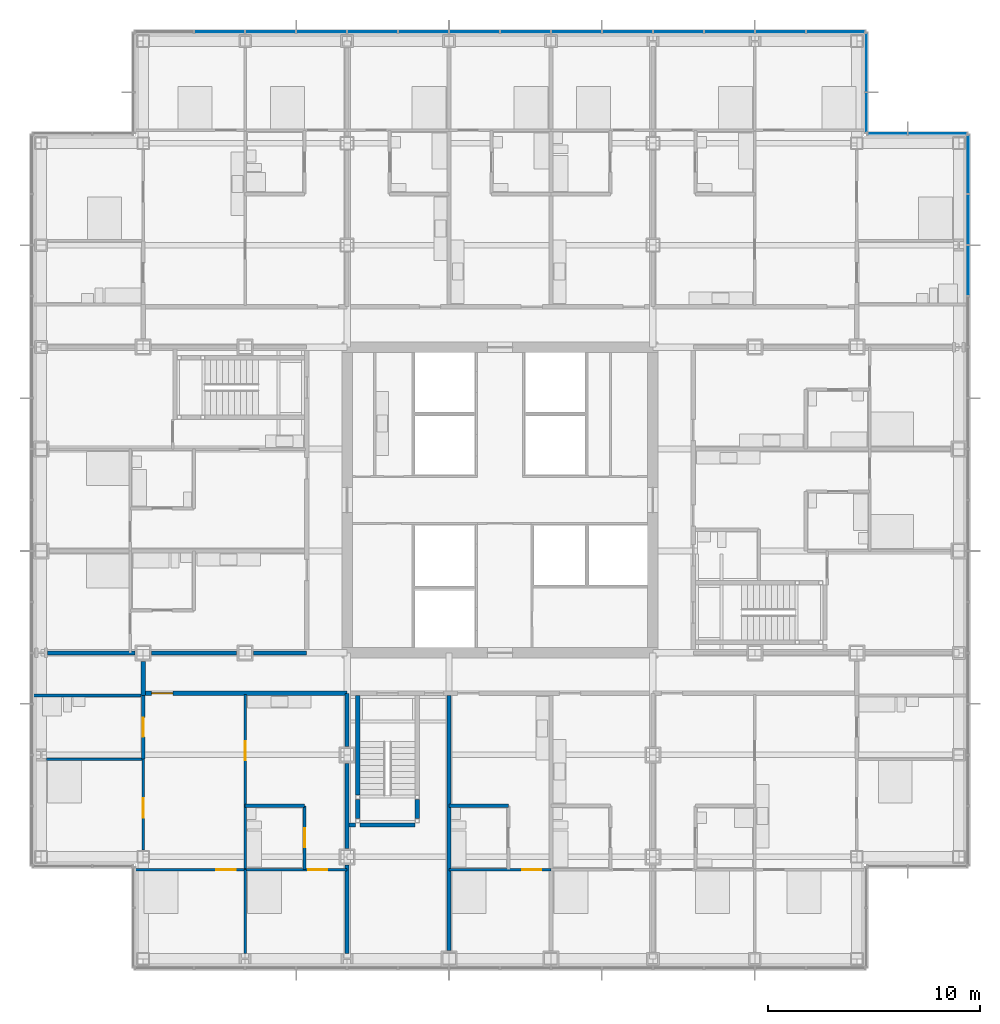
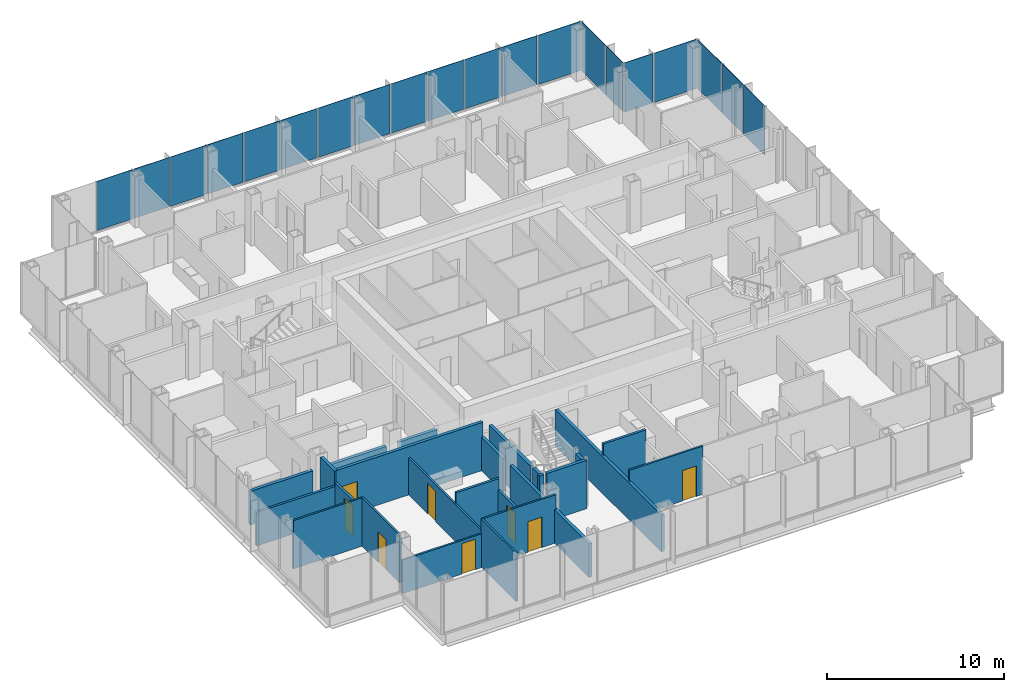
# One storey, part 13 of 21: 26 walls, 20 plates, 8 doors, 8 openings, 4 elements without a shape of their own.
"""IFC4 building model written with IfcOpenShell, lengths in metres."""

from ifc_helpers import new_model, si_unit, direction, frame, frame_2d, origin, origin_2d, place, context, subcontext, project, spatial, rectangle, extrude, material, layer, layer_set, type_object, element, fill, aggregate, save


model = new_model("IFC4")

# Units and contexts
model_context = context("Model", 3, precision=1e-05, world=origin(), true_north=direction((0.0, 1.0)))
body_context = subcontext(model_context, "Body", "Model", "MODEL_VIEW")
ifc_project = project(units=[si_unit("LENGTHUNIT", "METRE"), si_unit("AREAUNIT", "SQUARE_METRE"), si_unit("VOLUMEUNIT", "CUBIC_METRE"), si_unit("PLANEANGLEUNIT", "RADIAN"), si_unit("MASSUNIT", "GRAM", prefix="KILO")], contexts=[model_context])

# Site, building, storey
site_placement = place(None, origin())
site = spatial("IfcSite", under=ifc_project, at=site_placement, CompositionType="ELEMENT")
building_placement = place(site_placement, origin())
building = spatial("IfcBuilding", under=site, at=building_placement, Name="Kvirike Care Tower", CompositionType="ELEMENT")
storey_placement = place(building_placement, frame((0.0, 0.0, 51.5)))
storey = spatial("IfcBuildingStorey", under=building, at=storey_placement, Name="L13", CompositionType="ELEMENT", Elevation=51.5)

# Curtain wall, plates
ifc_material_1 = material(Name="Anodised aluminium stick system", Category="aluminium")
curtain_wall_type = type_object("IfcCurtainWallType", Name="CW-A STICK CURTAIN WALL", PredefinedType="NOTDEFINED", material=ifc_material_1)
curtain_wall_1_placement = place(storey_placement, origin())
curtain_wall_1 = element("IfcCurtainWall", 1, at=curtain_wall_1_placement, inside=storey, type_object=curtain_wall_type, Name="Curtain wall L13 face 7", PredefinedType="NOTDEFINED")
ifc_material_2 = material(Name="Tinted double glazed unit", Category="glass")
ifc_layer_1 = layer(ifc_material_2, 0.031982421875)
ifc_layer_set_1 = layer_set([ifc_layer_1], Name="TINTED VISION PANEL 32")
plate_type = type_object("IfcPlateType", Name="TINTED VISION PANEL 32", PredefinedType="CURTAIN_PANEL", material=ifc_layer_set_1)
plate_1_placement = place(storey_placement, frame((43.64990234375, 46.800048828125, 0.10009765625), z_axis=(0.0, 0.0, 1.0), x_axis=(0.0, 1.0, 0.0)))
plate_1 = element("IfcPlate", 2, at=plate_1_placement, type_object=plate_type, Name="CW-A panel L13 face 7.12", PredefinedType="CURTAIN_PANEL", context=body_context, shape_type="SweptSolid", body=[
    extrude(rectangle(XDim=2.3349609375, YDim=0.031982421875, at=origin_2d()), origin(), (0.0, 0.0, 1.0), 3.39990234375),
])
plate_2_placement = place(storey_placement, frame((43.64990234375, 49.199951171875, 0.10009765625), z_axis=(0.0, 0.0, 1.0), x_axis=(0.0, 1.0, 0.0)))
plate_2 = element("IfcPlate", 3, at=plate_2_placement, type_object=plate_type, Name="CW-A panel L13 face 7.13", PredefinedType="CURTAIN_PANEL", context=body_context, shape_type="SweptSolid", body=[
    extrude(rectangle(XDim=2.3349609375, YDim=0.031982421875, at=origin_2d()), origin(), (0.0, 0.0, 1.0), 3.39990234375),
])
plate_3_placement = place(storey_placement, frame((43.64990234375, 51.808837890625, 0.10009765625), z_axis=(0.0, 0.0, 1.0), x_axis=(0.0, 1.0, 0.0)))
plate_3 = element("IfcPlate", 4, at=plate_3_placement, type_object=plate_type, Name="CW-A panel L13 face 7.14", PredefinedType="CURTAIN_PANEL", context=body_context, shape_type="SweptSolid", body=[
    extrude(rectangle(XDim=2.75244140625, YDim=0.031982421875, at=origin_2d()), origin(), (0.0, 0.0, 1.0), 3.39990234375),
])
aggregate(curtain_wall_1, [plate_1, plate_2, plate_3])

curtain_wall_2_placement = place(storey_placement, origin())
curtain_wall_2 = element("IfcCurtainWall", 5, at=curtain_wall_2_placement, inside=storey, type_object=curtain_wall_type, Name="Curtain wall L13 face 8", PredefinedType="NOTDEFINED")
plate_4_placement = place(storey_placement, frame((42.208740234375, 53.25, 0.10009765625), z_axis=(0.0, 0.0, 1.0), x_axis=(-1.0, 0.0, 0.0)))
plate_4 = element("IfcPlate", 6, at=plate_4_placement, type_object=plate_type, Name="CW-A panel L13 face 8.1", PredefinedType="CURTAIN_PANEL", context=body_context, shape_type="SweptSolid", body=[
    extrude(rectangle(XDim=2.75244140625, YDim=0.031982421875, at=origin_2d()), origin(), (0.0, 0.0, 1.0), 3.39990234375),
])
plate_5_placement = place(storey_placement, frame((39.84130859375, 53.25, 0.10009765625), z_axis=(0.0, 0.0, 1.0), x_axis=(-1.0, 0.0, 0.0)))
plate_5 = element("IfcPlate", 7, at=plate_5_placement, type_object=plate_type, Name="CW-A panel L13 face 8.2", PredefinedType="CURTAIN_PANEL", context=body_context, shape_type="SweptSolid", body=[
    extrude(rectangle(XDim=1.8525390625, YDim=0.031982421875, at=origin_2d()), origin(), (0.0, 0.0, 1.0), 3.39990234375),
])
aggregate(curtain_wall_2, [plate_4, plate_5])

curtain_wall_3_placement = place(storey_placement, origin())
curtain_wall_3 = element("IfcCurtainWall", 8, at=curtain_wall_3_placement, inside=storey, type_object=curtain_wall_type, Name="Curtain wall L13 face 9", PredefinedType="NOTDEFINED")
plate_6_placement = place(storey_placement, frame((38.85009765625, 54.2412109375, 0.10009765625), z_axis=(0.0, 0.0, 1.0), x_axis=(0.0, 1.0, 0.0)))
plate_6 = element("IfcPlate", 9, at=plate_6_placement, type_object=plate_type, Name="CW-A panel L13 face 9.1", PredefinedType="CURTAIN_PANEL", context=body_context, shape_type="SweptSolid", body=[
    extrude(rectangle(XDim=1.8525390625, YDim=0.031982421875, at=origin_2d()), origin(), (0.0, 0.0, 1.0), 3.39990234375),
])
plate_7_placement = place(storey_placement, frame((38.85009765625, 56.608642578125, 0.10009765625), z_axis=(0.0, 0.0, 1.0), x_axis=(0.0, 1.0, 0.0)))
plate_7 = element("IfcPlate", 10, at=plate_7_placement, type_object=plate_type, Name="CW-A panel L13 face 9.2", PredefinedType="CURTAIN_PANEL", context=body_context, shape_type="SweptSolid", body=[
    extrude(rectangle(XDim=2.75244140625, YDim=0.031982421875, at=origin_2d()), origin(), (0.0, 0.0, 1.0), 3.39990234375),
])
aggregate(curtain_wall_3, [plate_6, plate_7])

curtain_wall_4_placement = place(storey_placement, origin())
curtain_wall_4 = element("IfcCurtainWall", 11, at=curtain_wall_4_placement, inside=storey, type_object=curtain_wall_type, Name="Curtain wall L13 face 10", PredefinedType="NOTDEFINED")
plate_8_placement = place(storey_placement, frame((37.40869140625, 58.050048828125, 0.10009765625), z_axis=(0.0, 0.0, 1.0), x_axis=(-1.0, 0.0, 0.0)))
plate_8 = element("IfcPlate", 12, at=plate_8_placement, type_object=plate_type, Name="CW-A panel L13 face 10.1", PredefinedType="CURTAIN_PANEL", context=body_context, shape_type="SweptSolid", body=[
    extrude(rectangle(XDim=2.75244140625, YDim=0.031982421875, at=origin_2d()), origin(), (0.0, 0.0, 1.0), 3.39990234375),
])
plate_9_placement = place(storey_placement, frame((34.800048828125, 58.050048828125, 0.10009765625), z_axis=(0.0, 0.0, 1.0), x_axis=(-1.0, 0.0, 0.0)))
plate_9 = element("IfcPlate", 13, at=plate_9_placement, type_object=plate_type, Name="CW-A panel L13 face 10.2", PredefinedType="CURTAIN_PANEL", context=body_context, shape_type="SweptSolid", body=[
    extrude(rectangle(XDim=2.3349609375, YDim=0.031982421875, at=origin_2d()), origin(), (0.0, 0.0, 1.0), 3.39990234375),
])
plate_10_placement = place(storey_placement, frame((32.39990234375, 58.050048828125, 0.10009765625), z_axis=(0.0, 0.0, 1.0), x_axis=(-1.0, 0.0, 0.0)))
plate_10 = element("IfcPlate", 14, at=plate_10_placement, type_object=plate_type, Name="CW-A panel L13 face 10.3", PredefinedType="CURTAIN_PANEL", context=body_context, shape_type="SweptSolid", body=[
    extrude(rectangle(XDim=2.3349609375, YDim=0.031982421875, at=origin_2d()), origin(), (0.0, 0.0, 1.0), 3.39990234375),
])
plate_11_placement = place(storey_placement, frame((30.0, 58.050048828125, 0.10009765625), z_axis=(0.0, 0.0, 1.0), x_axis=(-1.0, 0.0, 0.0)))
plate_11 = element("IfcPlate", 15, at=plate_11_placement, type_object=plate_type, Name="CW-A panel L13 face 10.4", PredefinedType="CURTAIN_PANEL", context=body_context, shape_type="SweptSolid", body=[
    extrude(rectangle(XDim=2.3349609375, YDim=0.031982421875, at=origin_2d()), origin(), (0.0, 0.0, 1.0), 3.39990234375),
])
plate_12_placement = place(storey_placement, frame((27.60009765625, 58.050048828125, 0.10009765625), z_axis=(0.0, 0.0, 1.0), x_axis=(-1.0, 0.0, 0.0)))
plate_12 = element("IfcPlate", 16, at=plate_12_placement, type_object=plate_type, Name="CW-A panel L13 face 10.5", PredefinedType="CURTAIN_PANEL", context=body_context, shape_type="SweptSolid", body=[
    extrude(rectangle(XDim=2.3349609375, YDim=0.031982421875, at=origin_2d()), origin(), (0.0, 0.0, 1.0), 3.39990234375),
])
plate_13_placement = place(storey_placement, frame((25.199951171875, 58.050048828125, 0.10009765625), z_axis=(0.0, 0.0, 1.0), x_axis=(-1.0, 0.0, 0.0)))
plate_13 = element("IfcPlate", 17, at=plate_13_placement, type_object=plate_type, Name="CW-A panel L13 face 10.6", PredefinedType="CURTAIN_PANEL", context=body_context, shape_type="SweptSolid", body=[
    extrude(rectangle(XDim=2.3349609375, YDim=0.031982421875, at=origin_2d()), origin(), (0.0, 0.0, 1.0), 3.39990234375),
])
plate_14_placement = place(storey_placement, frame((22.800048828125, 58.050048828125, 0.10009765625), z_axis=(0.0, 0.0, 1.0), x_axis=(-1.0, 0.0, 0.0)))
plate_14 = element("IfcPlate", 18, at=plate_14_placement, type_object=plate_type, Name="CW-A panel L13 face 10.7", PredefinedType="CURTAIN_PANEL", context=body_context, shape_type="SweptSolid", body=[
    extrude(rectangle(XDim=2.3349609375, YDim=0.031982421875, at=origin_2d()), origin(), (0.0, 0.0, 1.0), 3.39990234375),
])
plate_15_placement = place(storey_placement, frame((20.39990234375, 58.050048828125, 0.10009765625), z_axis=(0.0, 0.0, 1.0), x_axis=(-1.0, 0.0, 0.0)))
plate_15 = element("IfcPlate", 19, at=plate_15_placement, type_object=plate_type, Name="CW-A panel L13 face 10.8", PredefinedType="CURTAIN_PANEL", context=body_context, shape_type="SweptSolid", body=[
    extrude(rectangle(XDim=2.3349609375, YDim=0.031982421875, at=origin_2d()), origin(), (0.0, 0.0, 1.0), 3.39990234375),
])
plate_16_placement = place(storey_placement, frame((18.0, 58.050048828125, 0.10009765625), z_axis=(0.0, 0.0, 1.0), x_axis=(-1.0, 0.0, 0.0)))
plate_16 = element("IfcPlate", 20, at=plate_16_placement, type_object=plate_type, Name="CW-A panel L13 face 10.9", PredefinedType="CURTAIN_PANEL", context=body_context, shape_type="SweptSolid", body=[
    extrude(rectangle(XDim=2.3349609375, YDim=0.031982421875, at=origin_2d()), origin(), (0.0, 0.0, 1.0), 3.39990234375),
])
plate_17_placement = place(storey_placement, frame((15.60009765625, 58.050048828125, 0.10009765625), z_axis=(0.0, 0.0, 1.0), x_axis=(-1.0, 0.0, 0.0)))
plate_17 = element("IfcPlate", 21, at=plate_17_placement, type_object=plate_type, Name="CW-A panel L13 face 10.10", PredefinedType="CURTAIN_PANEL", context=body_context, shape_type="SweptSolid", body=[
    extrude(rectangle(XDim=2.3349609375, YDim=0.031982421875, at=origin_2d()), origin(), (0.0, 0.0, 1.0), 3.39990234375),
])
plate_18_placement = place(storey_placement, frame((13.199951171875, 58.050048828125, 0.10009765625), z_axis=(0.0, 0.0, 1.0), x_axis=(-1.0, 0.0, 0.0)))
plate_18 = element("IfcPlate", 22, at=plate_18_placement, type_object=plate_type, Name="CW-A panel L13 face 10.11", PredefinedType="CURTAIN_PANEL", context=body_context, shape_type="SweptSolid", body=[
    extrude(rectangle(XDim=2.3349609375, YDim=0.031982421875, at=origin_2d()), origin(), (0.0, 0.0, 1.0), 3.39990234375),
])
plate_19_placement = place(storey_placement, frame((10.800048828125, 58.050048828125, 0.10009765625), z_axis=(0.0, 0.0, 1.0), x_axis=(-1.0, 0.0, 0.0)))
plate_19 = element("IfcPlate", 23, at=plate_19_placement, type_object=plate_type, Name="CW-A panel L13 face 10.12", PredefinedType="CURTAIN_PANEL", context=body_context, shape_type="SweptSolid", body=[
    extrude(rectangle(XDim=2.3349609375, YDim=0.031982421875, at=origin_2d()), origin(), (0.0, 0.0, 1.0), 3.39990234375),
])
plate_20_placement = place(storey_placement, frame((8.39990234375, 58.050048828125, 0.10009765625), z_axis=(0.0, 0.0, 1.0), x_axis=(-1.0, 0.0, 0.0)))
plate_20 = element("IfcPlate", 24, at=plate_20_placement, type_object=plate_type, Name="CW-A panel L13 face 10.13", PredefinedType="CURTAIN_PANEL", context=body_context, shape_type="SweptSolid", body=[
    extrude(rectangle(XDim=2.3349609375, YDim=0.031982421875, at=origin_2d()), origin(), (0.0, 0.0, 1.0), 3.39990234375),
])
aggregate(curtain_wall_4, [plate_8, plate_9, plate_10, plate_11, plate_12, plate_13, plate_14, plate_15, plate_16, plate_17, plate_18, plate_19, plate_20])

# Wall, opening, door
ifc_material_3 = material(Name="Moisture-resistant board partition", Category="gypsum")
ifc_layer_2 = layer(ifc_material_3, 0.14990234375)
ifc_layer_set_2 = layer_set([ifc_layer_2], Name="BATHROOM WALL 150")
wall_type_1 = type_object("IfcWallType", Name="BATHROOM WALL 150", PredefinedType="PARTITIONING", material=ifc_layer_set_2)
wall_1_placement = place(storey_placement, frame((4.800048828125, 23.800048828125, 0.0), z_axis=(0.0, 0.0, 1.0), x_axis=(0.0, 1.0, 0.0)))
wall_1 = element("IfcWall", 25, at=wall_1_placement, inside=storey, type_object=wall_type_1, Name="Bathroom Wall 150 L13", PredefinedType="PARTITIONING", context=body_context, shape_type="SweptSolid", body=[
    extrude(rectangle(XDim=3.0, YDim=0.14990234375, at=frame_2d((1.5, 0.0))), origin(), (0.0, 0.0, 1.0), 2.550048828125),
])
opening_1_placement = place(wall_1_placement, frame((1.050048828125, 0.0, 0.0)))
opening_1 = element("IfcOpeningElement", 26, at=opening_1_placement, cuts=wall_1, Name="Opening 13-001", PredefinedType="OPENING", context=body_context, shape_type="SweptSolid", body=[
    extrude(rectangle(XDim=0.89990234375, YDim=2.10009765625, at=frame_2d((0.449951171875, 1.050048828125))), frame((0.0, 0.08544921875, 0.0), z_axis=(0.0, -1.0, 0.0), x_axis=(1.0, 0.0, 0.0)), (0.0, 0.0, 1.0), 0.1708984375),
])
ifc_material_4 = material(Name="Timber door set", Category="wood")
door_type_1 = type_object("IfcDoorType", Name="BATHROOM DOOR 900", OperationType="SINGLE_SWING_RIGHT", PredefinedType="DOOR", material=ifc_material_4)
door_1_placement = place(opening_1_placement, origin())
door_1 = element("IfcDoor", 27, at=door_1_placement, inside=storey, type_object=door_type_1, Name="Shower room door", OperationType="SINGLE_SWING_LEFT", OverallHeight=2.10009765625, OverallWidth=0.89990234375, PredefinedType="DOOR", context=body_context, shape_type="SweptSolid", body=[
    extrude(rectangle(XDim=0.89990234375, YDim=2.10009765625, at=frame_2d((0.449951171875, 1.050048828125))), frame((0.0, 0.02197265625, 0.0), z_axis=(0.0, -1.0, 0.0), x_axis=(1.0, 0.0, 0.0)), (0.0, 0.0, 1.0), 0.0439453125),
])
fill(opening_1, door_1)

wall_2_placement = place(storey_placement, frame((12.39990234375, 18.60009765625, 0.0), z_axis=(0.0, 0.0, 1.0), x_axis=(0.0, 1.0, 0.0)))
wall_2 = element("IfcWall", 28, at=wall_2_placement, inside=storey, type_object=wall_type_1, Name="Bathroom Wall 150 L13", PredefinedType="PARTITIONING", context=body_context, shape_type="SweptSolid", body=[
    extrude(rectangle(XDim=3.0, YDim=0.14990234375, at=frame_2d((1.5, 0.0))), origin(), (0.0, 0.0, 1.0), 2.550048828125),
])
opening_2_placement = place(wall_2_placement, frame((1.050048828125, 0.0, 0.0)))
opening_2 = element("IfcOpeningElement", 29, at=opening_2_placement, cuts=wall_2, Name="Opening 13-002", PredefinedType="OPENING", context=body_context, shape_type="SweptSolid", body=[
    extrude(rectangle(XDim=0.89990234375, YDim=2.10009765625, at=frame_2d((0.449951171875, 1.050048828125))), frame((0.0, 0.08544921875, 0.0), z_axis=(0.0, -1.0, 0.0), x_axis=(1.0, 0.0, 0.0)), (0.0, 0.0, 1.0), 0.1708984375),
])
door_2_placement = place(opening_2_placement, origin())
door_2 = element("IfcDoor", 30, at=door_2_placement, inside=storey, type_object=door_type_1, Name="Bathroom door", OperationType="SINGLE_SWING_RIGHT", OverallHeight=2.10009765625, OverallWidth=0.89990234375, PredefinedType="DOOR", context=body_context, shape_type="SweptSolid", body=[
    extrude(rectangle(XDim=0.89990234375, YDim=2.10009765625, at=frame_2d((0.449951171875, 1.050048828125))), frame((0.0, 0.02197265625, 0.0), z_axis=(0.0, -1.0, 0.0), x_axis=(1.0, 0.0, 0.0)), (0.0, 0.0, 1.0), 0.0439453125),
])
fill(opening_2, door_2)

# Walls
wall_3_placement = place(storey_placement, frame((9.60009765625, 21.60009765625, 0.0), z_axis=(0.0, 0.0, 1.0), x_axis=(1.0, 0.0, 0.0)))
element("IfcWall", 31, at=wall_3_placement, inside=storey, type_object=wall_type_1, Name="Bathroom Wall 150 L13", PredefinedType="PARTITIONING", context=body_context, shape_type="SweptSolid", body=[
    extrude(rectangle(XDim=2.7998046875, YDim=0.14990234375, at=frame_2d((1.39990234375, 0.0))), origin(), (0.0, 0.0, 1.0), 3.330078125),
])
wall_4_placement = place(storey_placement, frame((19.199951171875, 21.60009765625, 0.0), z_axis=(0.0, 0.0, 1.0), x_axis=(1.0, 0.0, 0.0)))
element("IfcWall", 32, at=wall_4_placement, inside=storey, type_object=wall_type_1, Name="Bathroom Wall 150 L13", PredefinedType="PARTITIONING", context=body_context, shape_type="SweptSolid", body=[
    extrude(rectangle(XDim=2.800048828125, YDim=0.14990234375, at=frame_2d((1.39990234375, 0.0))), origin(), (0.0, 0.0, 1.0), 3.330078125),
])
wall_5_placement = place(storey_placement, frame((-0.429931640625, 26.800048828125, 0.0), z_axis=(0.0, 0.0, 1.0), x_axis=(1.0, 0.0, 0.0)))
element("IfcWall", 33, at=wall_5_placement, inside=storey, type_object=wall_type_1, Name="Bathroom Wall 150 L13", PredefinedType="PARTITIONING", context=body_context, shape_type="SweptSolid", body=[
    extrude(rectangle(XDim=5.1298828125, YDim=0.14990234375, at=frame_2d((2.56494140625, 0.0))), origin(), (0.0, 0.0, 1.0), 2.320068359375),
])

# Wall, opening, door
ifc_material_5 = material(Name="Plasterboard corridor wall", Category="gypsum")
ifc_layer_3 = layer(ifc_material_5, 0.199951171875)
ifc_layer_set_3 = layer_set([ifc_layer_3], Name="CORRIDOR WALL 200")
wall_type_2 = type_object("IfcWallType", Name="CORRIDOR WALL 200", PredefinedType="PARTITIONING", material=ifc_layer_set_3)
wall_6_placement = place(storey_placement, frame((4.800048828125, 26.89990234375, 0.0), z_axis=(0.0, 0.0, 1.0), x_axis=(1.0, 0.0, 0.0)))
wall_6 = element("IfcWall", 34, at=wall_6_placement, inside=storey, type_object=wall_type_2, Name="Corridor Wall 200 L13", PredefinedType="PARTITIONING", context=body_context, shape_type="SweptSolid", body=[
    extrude(rectangle(XDim=9.599853515625, YDim=0.199951171875, at=frame_2d((4.7998046875, 0.0))), origin(), (0.0, 0.0, 1.0), 3.330078125),
])
opening_3_placement = place(wall_6_placement, frame((0.39990234375, 0.0, 0.0)))
opening_3 = element("IfcOpeningElement", 35, at=opening_3_placement, cuts=wall_6, Name="Opening 13-007", PredefinedType="OPENING", context=body_context, shape_type="SweptSolid", body=[
    extrude(rectangle(XDim=1.0, YDim=2.10009765625, at=frame_2d((0.5, 1.050048828125))), frame((0.0, 0.110595703125, 0.0), z_axis=(0.0, -1.0, 0.0), x_axis=(1.0, 0.0, 0.0)), (0.0, 0.0, 1.0), 0.220947265625),
])
ifc_material_6 = material(Name="Timber door set", Category="wood")
door_type_2 = type_object("IfcDoorType", Name="FLAT ENTRANCE DOOR 1000", OperationType="SINGLE_SWING_LEFT", PredefinedType="DOOR", material=ifc_material_6)
door_3_placement = place(opening_3_placement, frame((1.0, 0.0, 0.0), z_axis=(0.0, 0.0, 1.0), x_axis=(-1.0, 0.0, 0.0)))
door_3 = element("IfcDoor", 36, at=door_3_placement, inside=storey, type_object=door_type_2, Name="Three-bedroom corner apartment entrance", OperationType="SINGLE_SWING_LEFT", OverallHeight=2.10009765625, OverallWidth=1.0, PredefinedType="DOOR", context=body_context, shape_type="SweptSolid", body=[
    extrude(rectangle(XDim=1.0, YDim=2.10009765625, at=frame_2d((0.5, 1.050048828125))), frame((0.0, 0.02685546875, 0.0), z_axis=(0.0, -1.0, 0.0), x_axis=(1.0, 0.0, 0.0)), (0.0, 0.0, 1.0), 0.053955078125),
])
fill(opening_3, door_3)

# Wall
wall_7_placement = place(storey_placement, frame((4.800048828125, 26.800048828125, 0.0), z_axis=(0.0, 0.0, 1.0), x_axis=(0.0, 1.0, 0.0)))
element("IfcWall", 37, at=wall_7_placement, inside=storey, type_object=wall_type_2, Name="Corridor Wall 200 L13", PredefinedType="PARTITIONING", context=body_context, shape_type="SweptSolid", body=[
    extrude(rectangle(XDim=1.60498046875, YDim=0.199951171875, at=frame_2d((0.802490234375, 0.0))), origin(), (0.0, 0.0, 1.0), 3.330078125),
])

# Wall, opening, door
ifc_material_7 = material(Name="Plasterboard partition", Category="gypsum")
ifc_layer_4 = layer(ifc_material_7, 0.1201171875)
ifc_layer_set_4 = layer_set([ifc_layer_4], Name="PARTITION 120")
wall_type_3 = type_object("IfcWallType", Name="PARTITION 120", PredefinedType="PARTITIONING", material=ifc_layer_set_4)
wall_8_placement = place(storey_placement, frame((9.60009765625, 18.60009765625, 0.0), z_axis=(0.0, 0.0, 1.0), x_axis=(0.0, 1.0, 0.0)))
wall_8 = element("IfcWall", 38, at=wall_8_placement, inside=storey, type_object=wall_type_3, Name="Partition 120 L13", PredefinedType="PARTITIONING", context=body_context, shape_type="SweptSolid", body=[
    extrude(rectangle(XDim=8.25, YDim=0.1201171875, at=frame_2d((4.125, 0.0))), origin(), (0.0, 0.0, 1.0), 2.550048828125),
])
opening_4_placement = place(wall_8_placement, frame((5.14990234375, 0.0, 0.0)))
opening_4 = element("IfcOpeningElement", 39, at=opening_4_placement, cuts=wall_8, Name="Opening 13-003", PredefinedType="OPENING", context=body_context, shape_type="SweptSolid", body=[
    extrude(rectangle(XDim=0.89990234375, YDim=2.10009765625, at=frame_2d((0.449951171875, 1.050048828125))), frame((0.0, 0.070556640625, 0.0), z_axis=(0.0, -1.0, 0.0), x_axis=(1.0, 0.0, 0.0)), (0.0, 0.0, 1.0), 0.14111328125),
])
ifc_material_8 = material(Name="Timber door set", Category="wood")
door_type_3 = type_object("IfcDoorType", Name="INTERNAL DOOR 900", OperationType="SINGLE_SWING_LEFT", PredefinedType="DOOR", material=ifc_material_8)
door_4_placement = place(opening_4_placement, frame((0.89990234375, 0.0, 0.0), z_axis=(0.0, 0.0, 1.0), x_axis=(-1.0, 0.0, 0.0)))
door_4 = element("IfcDoor", 40, at=door_4_placement, inside=storey, type_object=door_type_3, Name="Hall door", OperationType="SINGLE_SWING_LEFT", OverallHeight=2.10009765625, OverallWidth=0.89990234375, PredefinedType="DOOR", context=body_context, shape_type="SweptSolid", body=[
    extrude(rectangle(XDim=0.89990234375, YDim=2.10009765625, at=frame_2d((0.449951171875, 1.050048828125))), frame((0.0, 0.02197265625, 0.0), z_axis=(0.0, -1.0, 0.0), x_axis=(1.0, 0.0, 0.0)), (0.0, 0.0, 1.0), 0.0439453125),
])
fill(opening_4, door_4)

# Wall
wall_9_placement = place(storey_placement, frame((0.2470703125, 23.800048828125, 0.0), z_axis=(0.0, 0.0, 1.0), x_axis=(1.0, 0.0, 0.0)))
element("IfcWall", 41, at=wall_9_placement, inside=storey, type_object=wall_type_3, Name="Partition 120 L13", PredefinedType="PARTITIONING", context=body_context, shape_type="SweptSolid", body=[
    extrude(rectangle(XDim=4.552978515625, YDim=0.1201171875, at=frame_2d((2.2763671875, 0.0))), origin(), (0.0, 0.0, 1.0), 3.330078125),
])

# Wall, opening, door
wall_10_placement = place(storey_placement, frame((4.364990234375, 18.60009765625, 0.0), z_axis=(0.0, 0.0, 1.0), x_axis=(1.0, 0.0, 0.0)))
wall_10 = element("IfcWall", 42, at=wall_10_placement, inside=storey, type_object=wall_type_3, Name="Partition 120 L13", PredefinedType="PARTITIONING", context=body_context, shape_type="SweptSolid", body=[
    extrude(rectangle(XDim=5.235107421875, YDim=0.1201171875, at=frame_2d((2.61767578125, 0.0))), origin(), (0.0, 0.0, 1.0), 2.320068359375),
])
opening_5_placement = place(wall_10_placement, frame((3.885009765625, 0.0, 0.0)))
opening_5 = element("IfcOpeningElement", 43, at=opening_5_placement, cuts=wall_10, Name="Opening 13-004", PredefinedType="OPENING", context=body_context, shape_type="SweptSolid", body=[
    extrude(rectangle(XDim=0.89990234375, YDim=2.10009765625, at=frame_2d((0.449951171875, 1.050048828125))), frame((0.0, 0.070556640625, 0.0), z_axis=(0.0, -1.0, 0.0), x_axis=(1.0, 0.0, 0.0)), (0.0, 0.0, 1.0), 0.14111328125),
])
door_5_placement = place(opening_5_placement, frame((0.89990234375, 0.0, 0.0), z_axis=(0.0, 0.0, 1.0), x_axis=(-1.0, 0.0, 0.0)))
door_5 = element("IfcDoor", 44, at=door_5_placement, inside=storey, type_object=door_type_3, Name="Apartment bedroom door", OperationType="SINGLE_SWING_RIGHT", OverallHeight=2.10009765625, OverallWidth=0.89990234375, PredefinedType="DOOR", context=body_context, shape_type="SweptSolid", body=[
    extrude(rectangle(XDim=0.89990234375, YDim=2.10009765625, at=frame_2d((0.449951171875, 1.050048828125))), frame((0.0, 0.02197265625, 0.0), z_axis=(0.0, -1.0, 0.0), x_axis=(1.0, 0.0, 0.0)), (0.0, 0.0, 1.0), 0.0439453125),
])
fill(opening_5, door_5)

wall_11_placement = place(storey_placement, frame((9.60009765625, 18.60009765625, 0.0), z_axis=(0.0, 0.0, 1.0), x_axis=(1.0, 0.0, 0.0)))
wall_11 = element("IfcWall", 45, at=wall_11_placement, inside=storey, type_object=wall_type_3, Name="Partition 120 L13", PredefinedType="PARTITIONING", context=body_context, shape_type="SweptSolid", body=[
    extrude(rectangle(XDim=4.7998046875, YDim=0.1201171875, at=frame_2d((2.39990234375, 0.0))), origin(), (0.0, 0.0, 1.0), 3.330078125),
])
opening_6_placement = place(wall_11_placement, frame((2.97509765625, 0.0, 0.0)))
opening_6 = element("IfcOpeningElement", 46, at=opening_6_placement, cuts=wall_11, Name="Opening 13-005", PredefinedType="OPENING", context=body_context, shape_type="SweptSolid", body=[
    extrude(rectangle(XDim=0.89990234375, YDim=2.10009765625, at=frame_2d((0.449951171875, 1.050048828125))), frame((0.0, 0.070556640625, 0.0), z_axis=(0.0, -1.0, 0.0), x_axis=(1.0, 0.0, 0.0)), (0.0, 0.0, 1.0), 0.14111328125),
])
door_6_placement = place(opening_6_placement, frame((0.89990234375, 0.0, 0.0), z_axis=(0.0, 0.0, 1.0), x_axis=(-1.0, 0.0, 0.0)))
door_6 = element("IfcDoor", 47, at=door_6_placement, inside=storey, type_object=door_type_3, Name="Apartment bedroom door", OperationType="SINGLE_SWING_RIGHT", OverallHeight=2.10009765625, OverallWidth=0.89990234375, PredefinedType="DOOR", context=body_context, shape_type="SweptSolid", body=[
    extrude(rectangle(XDim=0.89990234375, YDim=2.10009765625, at=frame_2d((0.449951171875, 1.050048828125))), frame((0.0, 0.02197265625, 0.0), z_axis=(0.0, -1.0, 0.0), x_axis=(1.0, 0.0, 0.0)), (0.0, 0.0, 1.0), 0.0439453125),
])
fill(opening_6, door_6)

wall_12_placement = place(storey_placement, frame((4.800048828125, 19.52001953125, 0.0), z_axis=(0.0, 0.0, 1.0), x_axis=(0.0, 1.0, 0.0)))
wall_12 = element("IfcWall", 48, at=wall_12_placement, inside=storey, type_object=wall_type_3, Name="Partition 120 L13", PredefinedType="PARTITIONING", context=body_context, shape_type="SweptSolid", body=[
    extrude(rectangle(XDim=4.280029296875, YDim=0.1201171875, at=frame_2d((2.14013671875, 0.0))), origin(), (0.0, 0.0, 1.0), 3.330078125),
])
opening_7_placement = place(wall_12_placement, frame((1.530029296875, 0.0, 0.0)))
opening_7 = element("IfcOpeningElement", 49, at=opening_7_placement, cuts=wall_12, Name="Opening 13-006", PredefinedType="OPENING", context=body_context, shape_type="SweptSolid", body=[
    extrude(rectangle(XDim=0.89990234375, YDim=2.10009765625, at=frame_2d((0.449951171875, 1.050048828125))), frame((0.0, 0.070556640625, 0.0), z_axis=(0.0, -1.0, 0.0), x_axis=(1.0, 0.0, 0.0)), (0.0, 0.0, 1.0), 0.14111328125),
])
door_7_placement = place(opening_7_placement, origin())
door_7 = element("IfcDoor", 50, at=door_7_placement, inside=storey, type_object=door_type_3, Name="Connecting door", OperationType="SINGLE_SWING_LEFT", OverallHeight=2.10009765625, OverallWidth=0.89990234375, PredefinedType="DOOR", context=body_context, shape_type="SweptSolid", body=[
    extrude(rectangle(XDim=0.89990234375, YDim=2.10009765625, at=frame_2d((0.449951171875, 1.050048828125))), frame((0.0, 0.02197265625, 0.0), z_axis=(0.0, -1.0, 0.0), x_axis=(1.0, 0.0, 0.0)), (0.0, 0.0, 1.0), 0.0439453125),
])
fill(opening_7, door_7)

# Wall
wall_13_placement = place(storey_placement, frame((9.60009765625, 14.64697265625, 0.0), z_axis=(0.0, 0.0, 1.0), x_axis=(0.0, 1.0, 0.0)))
element("IfcWall", 51, at=wall_13_placement, inside=storey, type_object=wall_type_3, Name="Partition 120 L13", PredefinedType="PARTITIONING", context=body_context, shape_type="SweptSolid", body=[
    extrude(rectangle(XDim=3.953125, YDim=0.1201171875, at=frame_2d((1.9765625, 0.0))), origin(), (0.0, 0.0, 1.0), 3.330078125),
])

# Wall, opening, door
wall_14_placement = place(storey_placement, frame((19.199951171875, 18.60009765625, 0.0), z_axis=(0.0, 0.0, 1.0), x_axis=(1.0, 0.0, 0.0)))
wall_14 = element("IfcWall", 52, at=wall_14_placement, inside=storey, type_object=wall_type_3, Name="Partition 120 L13", PredefinedType="PARTITIONING", context=body_context, shape_type="SweptSolid", body=[
    extrude(rectangle(XDim=4.800048828125, YDim=0.1201171875, at=frame_2d((2.39990234375, 0.0))), origin(), (0.0, 0.0, 1.0), 3.330078125),
])
opening_8_placement = place(wall_14_placement, frame((3.449951171875, 0.0, 0.0)))
opening_8 = element("IfcOpeningElement", 53, at=opening_8_placement, cuts=wall_14, Name="Opening 13-025", PredefinedType="OPENING", context=body_context, shape_type="SweptSolid", body=[
    extrude(rectangle(XDim=0.89990234375, YDim=2.10009765625, at=frame_2d((0.449951171875, 1.050048828125))), frame((0.0, 0.070556640625, 0.0), z_axis=(0.0, -1.0, 0.0), x_axis=(1.0, 0.0, 0.0)), (0.0, 0.0, 1.0), 0.14111328125),
])
door_8_placement = place(opening_8_placement, frame((0.89990234375, 0.0, 0.0), z_axis=(0.0, 0.0, 1.0), x_axis=(-1.0, 0.0, 0.0)))
door_8 = element("IfcDoor", 54, at=door_8_placement, inside=storey, type_object=door_type_3, Name="Studio apartment living room door", OperationType="SINGLE_SWING_LEFT", OverallHeight=2.10009765625, OverallWidth=0.89990234375, PredefinedType="DOOR", context=body_context, shape_type="SweptSolid", body=[
    extrude(rectangle(XDim=0.89990234375, YDim=2.10009765625, at=frame_2d((0.449951171875, 1.050048828125))), frame((0.0, 0.02197265625, 0.0), z_axis=(0.0, -1.0, 0.0), x_axis=(1.0, 0.0, 0.0)), (0.0, 0.0, 1.0), 0.0439453125),
])
fill(opening_8, door_8)

# Walls
ifc_material_9 = material(Name="Plasterboard party wall", Category="gypsum")
ifc_layer_5 = layer(ifc_material_9, 0.199951171875)
ifc_layer_set_5 = layer_set([ifc_layer_5], Name="PARTY WALL 200")
wall_type_4 = type_object("IfcWallType", Name="PARTY WALL 200", PredefinedType="PARTITIONING", material=ifc_layer_set_5)
wall_15_placement = place(storey_placement, frame((19.199951171875, 14.794921875, 0.0), z_axis=(0.0, 0.0, 1.0), x_axis=(0.0, 1.0, 0.0)))
element("IfcWall", 55, at=wall_15_placement, inside=storey, type_object=wall_type_4, Name="Party Wall 200 L13", PredefinedType="PARTITIONING", context=body_context, shape_type="SweptSolid", body=[
    extrude(rectangle(XDim=12.005126953125, YDim=0.199951171875, at=frame_2d((6.00244140625, 0.0))), origin(), (0.0, 0.0, 1.0), 2.550048828125),
])
wall_16_placement = place(storey_placement, frame((12.5, 28.800048828125, 0.0), z_axis=(0.0, 0.0, 1.0), x_axis=(-1.0, 0.0, 0.0)))
element("IfcWall", 56, at=wall_16_placement, inside=storey, type_object=wall_type_4, Name="Party Wall 200 L13", PredefinedType="PARTITIONING", context=body_context, shape_type="SweptSolid", body=[
    extrude(rectangle(XDim=2.5048828125, YDim=0.199951171875, at=frame_2d((1.25244140625, 0.0))), origin(), (0.0, 0.0, 1.0), 2.320068359375),
])
wall_17_placement = place(storey_placement, frame((9.205078125, 28.800048828125, 0.0), z_axis=(0.0, 0.0, 1.0), x_axis=(-1.0, 0.0, 0.0)))
element("IfcWall", 57, at=wall_17_placement, inside=storey, type_object=wall_type_4, Name="Party Wall 200 L13", PredefinedType="PARTITIONING", context=body_context, shape_type="SweptSolid", body=[
    extrude(rectangle(XDim=4.010009765625, YDim=0.199951171875, at=frame_2d((2.0048828125, 0.0))), origin(), (0.0, 0.0, 1.0), 2.320068359375),
])
wall_18_placement = place(storey_placement, frame((4.405029296875, 28.800048828125, 0.0), z_axis=(0.0, 0.0, 1.0), x_axis=(-1.0, 0.0, 0.0)))
element("IfcWall", 58, at=wall_18_placement, inside=storey, type_object=wall_type_4, Name="Party Wall 200 L13", PredefinedType="PARTITIONING", context=body_context, shape_type="SweptSolid", body=[
    extrude(rectangle(XDim=4.1005859375, YDim=0.199951171875, at=frame_2d((2.05029296875, 0.0))), origin(), (0.0, 0.0, 1.0), 2.320068359375),
])
wall_19_placement = place(storey_placement, frame((14.39990234375, 14.64697265625, 0.0), z_axis=(0.0, 0.0, 1.0), x_axis=(0.0, 1.0, 0.0)))
element("IfcWall", 59, at=wall_19_placement, inside=storey, type_object=wall_type_4, Name="Party Wall 200 L13", PredefinedType="PARTITIONING", context=body_context, shape_type="SweptSolid", body=[
    extrude(rectangle(XDim=4.157958984375, YDim=0.199951171875, at=frame_2d((2.0791015625, 0.0))), origin(), (0.0, 0.0, 1.0), 2.320068359375),
])
wall_20_placement = place(storey_placement, frame((14.39990234375, 19.594970703125, 0.0), z_axis=(0.0, 0.0, 1.0), x_axis=(0.0, 1.0, 0.0)))
element("IfcWall", 60, at=wall_20_placement, inside=storey, type_object=wall_type_4, Name="Party Wall 200 L13", PredefinedType="PARTITIONING", context=body_context, shape_type="SweptSolid", body=[
    extrude(rectangle(XDim=4.010009765625, YDim=0.199951171875, at=frame_2d((2.0048828125, 0.0))), origin(), (0.0, 0.0, 1.0), 2.320068359375),
])
wall_21_placement = place(storey_placement, frame((14.39990234375, 24.39501953125, 0.0), z_axis=(0.0, 0.0, 1.0), x_axis=(0.0, 1.0, 0.0)))
element("IfcWall", 61, at=wall_21_placement, inside=storey, type_object=wall_type_4, Name="Party Wall 200 L13", PredefinedType="PARTITIONING", context=body_context, shape_type="SweptSolid", body=[
    extrude(rectangle(XDim=2.5048828125, YDim=0.199951171875, at=frame_2d((1.25244140625, 0.0))), origin(), (0.0, 0.0, 1.0), 2.320068359375),
])
ifc_material_10 = material(Name="Concrete C40/50", Category="concrete")
ifc_layer_6 = layer(ifc_material_10, 0.199951171875)
ifc_layer_set_6 = layer_set([ifc_layer_6], Name="STAIR WALL 200")
wall_type_5 = type_object("IfcWallType", Name="STAIR WALL 200", PredefinedType="SOLIDWALL", material=ifc_layer_set_6)
wall_22_placement = place(storey_placement, frame((14.89990234375, 21.0, 0.0), z_axis=(0.0, 0.0, 1.0), x_axis=(0.0, 1.0, 0.0)))
element("IfcWall", 62, at=wall_22_placement, inside=storey, type_object=wall_type_5, Name="Stair Wall 200 L13", PredefinedType="SOLIDWALL", context=body_context, shape_type="SweptSolid", body=[
    extrude(rectangle(XDim=0.89990234375, YDim=0.199951171875, at=frame_2d((0.449951171875, 0.0))), origin(), (0.0, 0.0, 1.0), 2.989990234375),
])
wall_23_placement = place(storey_placement, frame((14.89990234375, 22.10009765625, 0.0), z_axis=(0.0, 0.0, 1.0), x_axis=(0.0, 1.0, 0.0)))
element("IfcWall", 63, at=wall_23_placement, inside=storey, type_object=wall_type_5, Name="Stair Wall 200 L13", PredefinedType="SOLIDWALL", context=body_context, shape_type="SweptSolid", body=[
    extrude(rectangle(XDim=4.699951171875, YDim=0.199951171875, at=frame_2d((2.35009765625, 0.0))), origin(), (0.0, 0.0, 1.0), 2.989990234375),
])
wall_24_placement = place(storey_placement, frame((17.699951171875, 21.0, 0.0), z_axis=(0.0, 0.0, 1.0), x_axis=(0.0, 1.0, 0.0)))
element("IfcWall", 64, at=wall_24_placement, inside=storey, type_object=wall_type_5, Name="Stair Wall 200 L13", PredefinedType="SOLIDWALL", context=body_context, shape_type="SweptSolid", body=[
    extrude(rectangle(XDim=0.89990234375, YDim=0.199951171875, at=frame_2d((0.449951171875, 0.0))), origin(), (0.0, 0.0, 1.0), 2.989990234375),
])
wall_25_placement = place(storey_placement, frame((14.5, 20.699951171875, 0.0), z_axis=(0.0, 0.0, 1.0), x_axis=(1.0, 0.0, 0.0)))
element("IfcWall", 65, at=wall_25_placement, inside=storey, type_object=wall_type_5, Name="Stair Wall 200 L13", PredefinedType="SOLIDWALL", context=body_context, shape_type="SweptSolid", body=[
    extrude(rectangle(XDim=0.300048828125, YDim=0.199951171875, at=frame_2d((0.14990234375, 0.0))), origin(), (0.0, 0.0, 1.0), 3.330078125),
])
wall_26_placement = place(storey_placement, frame((15.0, 20.699951171875, 0.0), z_axis=(0.0, 0.0, 1.0), x_axis=(1.0, 0.0, 0.0)))
element("IfcWall", 66, at=wall_26_placement, inside=storey, type_object=wall_type_5, Name="Stair Wall 200 L13", PredefinedType="SOLIDWALL", context=body_context, shape_type="SweptSolid", body=[
    extrude(rectangle(XDim=2.60009765625, YDim=0.199951171875, at=frame_2d((1.300048828125, 0.0))), origin(), (0.0, 0.0, 1.0), 3.330078125),
])

save(model, "model.ifc")
